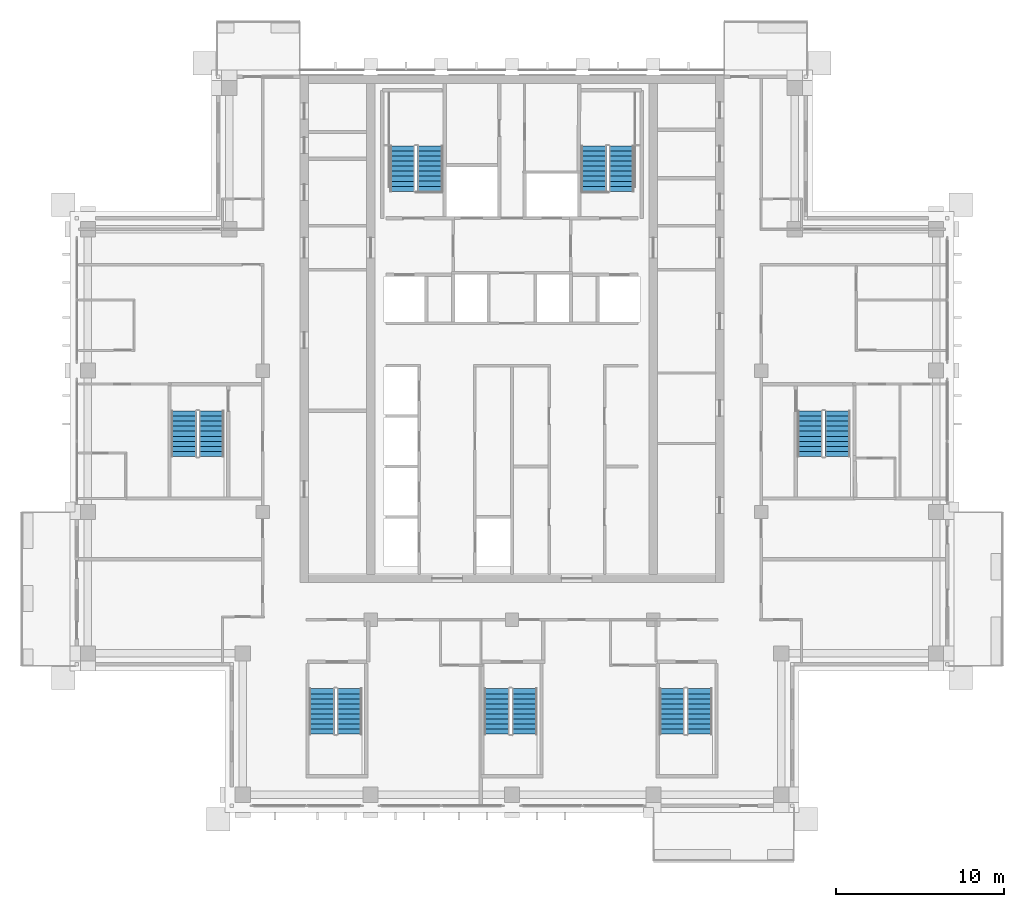
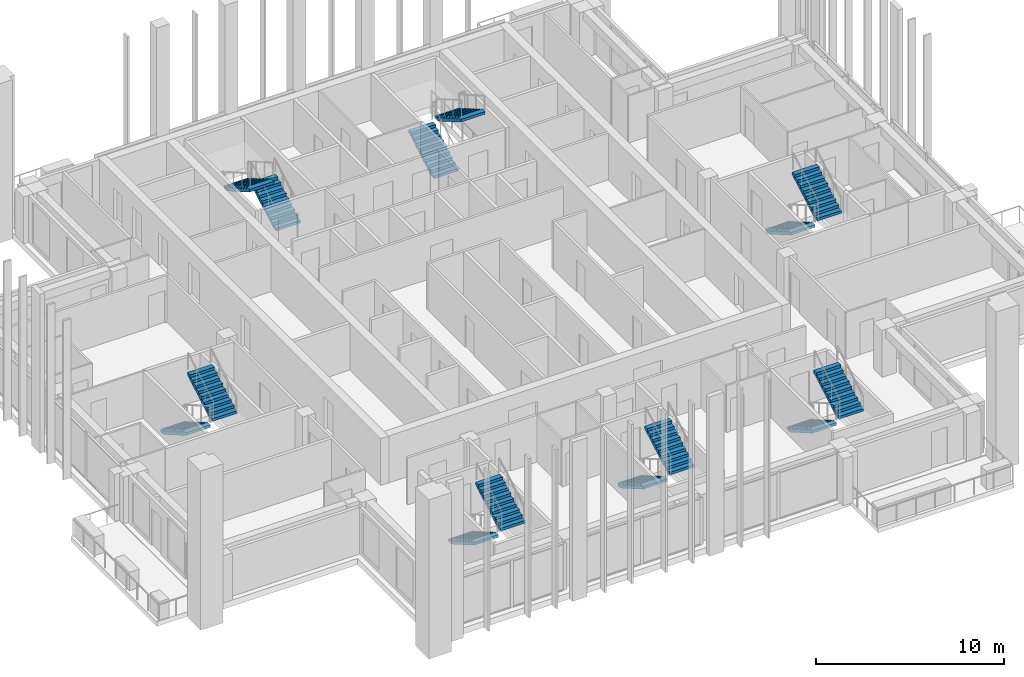
# One storey, part 16 of 20: 14 stair flights, 7 elements without a shape of their own.
"""IFC4 building model written with IfcOpenShell, lengths in metres."""

from ifc_helpers import new_model, si_unit, direction, frame, origin, place, context, subcontext, project, spatial, polyline, outline, extrude, material, type_object, element, aggregate, save


model = new_model("IFC4")

# Units and contexts
model_context = context("Model", 3, precision=1e-05, world=origin(), true_north=direction((0.0, 1.0)))
body_context = subcontext(model_context, "Body", "Model", "MODEL_VIEW")
ifc_project = project(units=[si_unit("LENGTHUNIT", "METRE"), si_unit("AREAUNIT", "SQUARE_METRE"), si_unit("VOLUMEUNIT", "CUBIC_METRE"), si_unit("PLANEANGLEUNIT", "RADIAN"), si_unit("MASSUNIT", "GRAM", prefix="KILO")], contexts=[model_context])

# Site, building, storey
site_placement = place(None, origin())
site = spatial("IfcSite", under=ifc_project, at=site_placement, CompositionType="ELEMENT")
building_placement = place(site_placement, origin())
building = spatial("IfcBuilding", under=site, at=building_placement, Name="Vermilion Ogive Tower", CompositionType="ELEMENT")
storey_placement = place(building_placement, frame((0.0, 0.0, 223.449951171875)))
storey = spatial("IfcBuildingStorey", under=building, at=storey_placement, Name="L58", CompositionType="ELEMENT", Elevation=223.449951171875)

# Stair, stair flights
ifc_material_1 = material(Name="Concrete B40", Category="concrete")
stair_type = type_object("IfcStairType", Name="Exit stair 1500", PredefinedType="HALF_TURN_STAIR", material=ifc_material_1)
stair_1_placement = place(storey_placement, origin())
stair_1 = element("IfcStair", 1, at=stair_1_placement, inside=storey, type_object=stair_type, Name="L58 Exit Stair ST1", PredefinedType="HALF_TURN_STAIR")
ifc_material_2 = material(Name="Concrete B40", Category="concrete")
stair_flight_type = type_object("IfcStairFlightType", Name="Stair flight 1500", PredefinedType="STRAIGHT", material=ifc_material_2)
stair_flight_1_placement = place(storey_placement, frame((-4.85009765625, 14.85009765625, 0.0), z_axis=(0.0, 0.0, 1.0), x_axis=(0.0, 1.0, 0.0)))
stair_flight_1 = element("IfcStairFlight", 2, at=stair_flight_1_placement, type_object=stair_flight_type, Name="ST1 flight 1", NumberOfRisers=10, NumberOfTreads=9, PredefinedType="STRAIGHT", RiserHeight=0.1725, TreadLength=0.3, context=body_context, shape_type="SweptSolid", body=[
    extrude(outline(polyline([(0.0, 0.0), (0.0, 0.172607421875), (0.300048828125, 0.172607421875), (0.300048828125, 0.344970703125), (0.60009765625, 0.344970703125), (0.60009765625, 0.517578125), (0.89990234375, 0.517578125), (0.89990234375, 0.68994140625), (1.199951171875, 0.68994140625), (1.199951171875, 0.862548828125), (1.5, 0.862548828125), (1.5, 1.034912109375), (1.800048828125, 1.034912109375), (1.800048828125, 1.20751953125), (2.10009765625, 1.20751953125), (2.10009765625, 1.3798828125), (2.39990234375, 1.3798828125), (2.39990234375, 1.552490234375), (2.699951171875, 1.552490234375), (2.699951171875, 1.72509765625), (2.699951171875, 1.379638671875), (0.30078125, 0.0), (0.0, 0.0)])), frame((0.0, 0.75, 0.0), z_axis=(0.0, -1.0, 0.0), x_axis=(1.0, 0.0, 0.0)), (0.0, 0.0, 1.0), 1.5),
])
stair_flight_2_placement = place(storey_placement, frame((-6.5, 17.550048828125, 1.72509765625), z_axis=(0.0, 0.0, 1.0), x_axis=(0.0, -1.0, 0.0)))
stair_flight_2 = element("IfcStairFlight", 3, at=stair_flight_2_placement, type_object=stair_flight_type, Name="ST1 flight 2", NumberOfRisers=10, NumberOfTreads=9, PredefinedType="STRAIGHT", RiserHeight=0.1725, TreadLength=0.3, context=body_context, shape_type="SweptSolid", body=[
    extrude(outline(polyline([(0.0, 0.0), (0.0, 0.172607421875), (0.300048828125, 0.172607421875), (0.300048828125, 0.344970703125), (0.60009765625, 0.344970703125), (0.60009765625, 0.517578125), (0.89990234375, 0.517578125), (0.89990234375, 0.68994140625), (1.199951171875, 0.68994140625), (1.199951171875, 0.862548828125), (1.5, 0.862548828125), (1.5, 1.034912109375), (1.800048828125, 1.034912109375), (1.800048828125, 1.20751953125), (2.10009765625, 1.20751953125), (2.10009765625, 1.3798828125), (2.39990234375, 1.3798828125), (2.39990234375, 1.552490234375), (2.699951171875, 1.552490234375), (2.699951171875, 1.72509765625), (2.699951171875, 1.379638671875), (0.30078125, 0.0), (0.0, 0.0)])), frame((0.0, 0.75, 0.0), z_axis=(0.0, -1.0, 0.0), x_axis=(1.0, 0.0, 0.0)), (0.0, 0.0, 1.0), 1.5),
])
aggregate(stair_1, [stair_flight_1, stair_flight_2])

stair_2_placement = place(storey_placement, origin())
stair_2 = element("IfcStair", 4, at=stair_2_placement, inside=storey, type_object=stair_type, Name="L58 Exit Stair ST2", PredefinedType="HALF_TURN_STAIR")
stair_flight_3_placement = place(storey_placement, frame((4.85009765625, 14.85009765625, 0.0), z_axis=(0.0, 0.0, 1.0), x_axis=(0.0, 1.0, 0.0)))
stair_flight_3 = element("IfcStairFlight", 5, at=stair_flight_3_placement, type_object=stair_flight_type, Name="ST2 flight 1", NumberOfRisers=10, NumberOfTreads=9, PredefinedType="STRAIGHT", RiserHeight=0.1725, TreadLength=0.3, context=body_context, shape_type="SweptSolid", body=[
    extrude(outline(polyline([(0.0, 0.0), (0.0, 0.172607421875), (0.300048828125, 0.172607421875), (0.300048828125, 0.344970703125), (0.60009765625, 0.344970703125), (0.60009765625, 0.517578125), (0.89990234375, 0.517578125), (0.89990234375, 0.68994140625), (1.199951171875, 0.68994140625), (1.199951171875, 0.862548828125), (1.5, 0.862548828125), (1.5, 1.034912109375), (1.800048828125, 1.034912109375), (1.800048828125, 1.20751953125), (2.10009765625, 1.20751953125), (2.10009765625, 1.3798828125), (2.39990234375, 1.3798828125), (2.39990234375, 1.552490234375), (2.699951171875, 1.552490234375), (2.699951171875, 1.72509765625), (2.699951171875, 1.379638671875), (0.30078125, 0.0), (0.0, 0.0)])), frame((0.0, 0.75, 0.0), z_axis=(0.0, -1.0, 0.0), x_axis=(1.0, 0.0, 0.0)), (0.0, 0.0, 1.0), 1.5),
])
stair_flight_4_placement = place(storey_placement, frame((6.5, 17.550048828125, 1.72509765625), z_axis=(0.0, 0.0, 1.0), x_axis=(0.0, -1.0, 0.0)))
stair_flight_4 = element("IfcStairFlight", 6, at=stair_flight_4_placement, type_object=stair_flight_type, Name="ST2 flight 2", NumberOfRisers=10, NumberOfTreads=9, PredefinedType="STRAIGHT", RiserHeight=0.1725, TreadLength=0.3, context=body_context, shape_type="SweptSolid", body=[
    extrude(outline(polyline([(0.0, 0.0), (0.0, 0.172607421875), (0.300048828125, 0.172607421875), (0.300048828125, 0.344970703125), (0.60009765625, 0.344970703125), (0.60009765625, 0.517578125), (0.89990234375, 0.517578125), (0.89990234375, 0.68994140625), (1.199951171875, 0.68994140625), (1.199951171875, 0.862548828125), (1.5, 0.862548828125), (1.5, 1.034912109375), (1.800048828125, 1.034912109375), (1.800048828125, 1.20751953125), (2.10009765625, 1.20751953125), (2.10009765625, 1.3798828125), (2.39990234375, 1.3798828125), (2.39990234375, 1.552490234375), (2.699951171875, 1.552490234375), (2.699951171875, 1.72509765625), (2.699951171875, 1.379638671875), (0.30078125, 0.0), (0.0, 0.0)])), frame((0.0, 0.75, 0.0), z_axis=(0.0, -1.0, 0.0), x_axis=(1.0, 0.0, 0.0)), (0.0, 0.0, 1.0), 1.5),
])
aggregate(stair_2, [stair_flight_3, stair_flight_4])

stair_3_placement = place(storey_placement, origin())
stair_3 = element("IfcStair", 7, at=stair_3_placement, inside=storey, type_object=stair_type, Name="L58 Exit Stair ST3", PredefinedType="HALF_TURN_STAIR")
stair_flight_5_placement = place(storey_placement, frame((-11.300048828125, -14.699951171875, 0.0), z_axis=(0.0, 0.0, 1.0), x_axis=(0.0, -1.0, 0.0)))
stair_flight_5 = element("IfcStairFlight", 8, at=stair_flight_5_placement, type_object=stair_flight_type, Name="ST3 flight 1", NumberOfRisers=10, NumberOfTreads=9, PredefinedType="STRAIGHT", RiserHeight=0.1725, TreadLength=0.3, context=body_context, shape_type="SweptSolid", body=[
    extrude(outline(polyline([(0.0, 0.0), (0.0, 0.172607421875), (0.300048828125, 0.172607421875), (0.300048828125, 0.344970703125), (0.60009765625, 0.344970703125), (0.60009765625, 0.517578125), (0.89990234375, 0.517578125), (0.89990234375, 0.68994140625), (1.199951171875, 0.68994140625), (1.199951171875, 0.862548828125), (1.5, 0.862548828125), (1.5, 1.034912109375), (1.800048828125, 1.034912109375), (1.800048828125, 1.20751953125), (2.10009765625, 1.20751953125), (2.10009765625, 1.3798828125), (2.39990234375, 1.3798828125), (2.39990234375, 1.552490234375), (2.699951171875, 1.552490234375), (2.699951171875, 1.72509765625), (2.699951171875, 1.379638671875), (0.30078125, 0.0), (0.0, 0.0)])), frame((0.0, 0.75, 0.0), z_axis=(0.0, -1.0, 0.0), x_axis=(1.0, 0.0, 0.0)), (0.0, 0.0, 1.0), 1.5),
])
stair_flight_6_placement = place(storey_placement, frame((-9.64990234375, -17.39990234375, 1.72509765625), z_axis=(0.0, 0.0, 1.0), x_axis=(0.0, 1.0, 0.0)))
stair_flight_6 = element("IfcStairFlight", 9, at=stair_flight_6_placement, type_object=stair_flight_type, Name="ST3 flight 2", NumberOfRisers=10, NumberOfTreads=9, PredefinedType="STRAIGHT", RiserHeight=0.1725, TreadLength=0.3, context=body_context, shape_type="SweptSolid", body=[
    extrude(outline(polyline([(0.0, 0.0), (0.0, 0.172607421875), (0.300048828125, 0.172607421875), (0.300048828125, 0.344970703125), (0.60009765625, 0.344970703125), (0.60009765625, 0.517578125), (0.89990234375, 0.517578125), (0.89990234375, 0.68994140625), (1.199951171875, 0.68994140625), (1.199951171875, 0.862548828125), (1.5, 0.862548828125), (1.5, 1.034912109375), (1.800048828125, 1.034912109375), (1.800048828125, 1.20751953125), (2.10009765625, 1.20751953125), (2.10009765625, 1.3798828125), (2.39990234375, 1.3798828125), (2.39990234375, 1.552490234375), (2.699951171875, 1.552490234375), (2.699951171875, 1.72509765625), (2.699951171875, 1.379638671875), (0.30078125, 0.0), (0.0, 0.0)])), frame((0.0, 0.75, 0.0), z_axis=(0.0, -1.0, 0.0), x_axis=(1.0, 0.0, 0.0)), (0.0, 0.0, 1.0), 1.5),
])
aggregate(stair_3, [stair_flight_5, stair_flight_6])

stair_4_placement = place(storey_placement, origin())
stair_4 = element("IfcStair", 10, at=stair_4_placement, inside=storey, type_object=stair_type, Name="L58 Exit Stair ST4", PredefinedType="HALF_TURN_STAIR")
stair_flight_7_placement = place(storey_placement, frame((-0.89990234375, -14.699951171875, 0.0), z_axis=(0.0, 0.0, 1.0), x_axis=(0.0, -1.0, 0.0)))
stair_flight_7 = element("IfcStairFlight", 11, at=stair_flight_7_placement, type_object=stair_flight_type, Name="ST4 flight 1", NumberOfRisers=10, NumberOfTreads=9, PredefinedType="STRAIGHT", RiserHeight=0.1725, TreadLength=0.3, context=body_context, shape_type="SweptSolid", body=[
    extrude(outline(polyline([(0.0, 0.0), (0.0, 0.172607421875), (0.300048828125, 0.172607421875), (0.300048828125, 0.344970703125), (0.60009765625, 0.344970703125), (0.60009765625, 0.517578125), (0.89990234375, 0.517578125), (0.89990234375, 0.68994140625), (1.199951171875, 0.68994140625), (1.199951171875, 0.862548828125), (1.5, 0.862548828125), (1.5, 1.034912109375), (1.800048828125, 1.034912109375), (1.800048828125, 1.20751953125), (2.10009765625, 1.20751953125), (2.10009765625, 1.3798828125), (2.39990234375, 1.3798828125), (2.39990234375, 1.552490234375), (2.699951171875, 1.552490234375), (2.699951171875, 1.72509765625), (2.699951171875, 1.379638671875), (0.30078125, 0.0), (0.0, 0.0)])), frame((0.0, 0.75, 0.0), z_axis=(0.0, -1.0, 0.0), x_axis=(1.0, 0.0, 0.0)), (0.0, 0.0, 1.0), 1.5),
])
stair_flight_8_placement = place(storey_placement, frame((0.75, -17.39990234375, 1.72509765625), z_axis=(0.0, 0.0, 1.0), x_axis=(0.0, 1.0, 0.0)))
stair_flight_8 = element("IfcStairFlight", 12, at=stair_flight_8_placement, type_object=stair_flight_type, Name="ST4 flight 2", NumberOfRisers=10, NumberOfTreads=9, PredefinedType="STRAIGHT", RiserHeight=0.1725, TreadLength=0.3, context=body_context, shape_type="SweptSolid", body=[
    extrude(outline(polyline([(0.0, 0.0), (0.0, 0.172607421875), (0.300048828125, 0.172607421875), (0.300048828125, 0.344970703125), (0.60009765625, 0.344970703125), (0.60009765625, 0.517578125), (0.89990234375, 0.517578125), (0.89990234375, 0.68994140625), (1.199951171875, 0.68994140625), (1.199951171875, 0.862548828125), (1.5, 0.862548828125), (1.5, 1.034912109375), (1.800048828125, 1.034912109375), (1.800048828125, 1.20751953125), (2.10009765625, 1.20751953125), (2.10009765625, 1.3798828125), (2.39990234375, 1.3798828125), (2.39990234375, 1.552490234375), (2.699951171875, 1.552490234375), (2.699951171875, 1.72509765625), (2.699951171875, 1.379638671875), (0.30078125, 0.0), (0.0, 0.0)])), frame((0.0, 0.75, 0.0), z_axis=(0.0, -1.0, 0.0), x_axis=(1.0, 0.0, 0.0)), (0.0, 0.0, 1.0), 1.5),
])
aggregate(stair_4, [stair_flight_7, stair_flight_8])

stair_5_placement = place(storey_placement, origin())
stair_5 = element("IfcStair", 13, at=stair_5_placement, inside=storey, type_object=stair_type, Name="L58 Exit Stair ST5", PredefinedType="HALF_TURN_STAIR")
stair_flight_9_placement = place(storey_placement, frame((9.5, -14.699951171875, 0.0), z_axis=(0.0, 0.0, 1.0), x_axis=(0.0, -1.0, 0.0)))
stair_flight_9 = element("IfcStairFlight", 14, at=stair_flight_9_placement, type_object=stair_flight_type, Name="ST5 flight 1", NumberOfRisers=10, NumberOfTreads=9, PredefinedType="STRAIGHT", RiserHeight=0.1725, TreadLength=0.3, context=body_context, shape_type="SweptSolid", body=[
    extrude(outline(polyline([(0.0, 0.0), (0.0, 0.172607421875), (0.300048828125, 0.172607421875), (0.300048828125, 0.344970703125), (0.60009765625, 0.344970703125), (0.60009765625, 0.517578125), (0.89990234375, 0.517578125), (0.89990234375, 0.68994140625), (1.199951171875, 0.68994140625), (1.199951171875, 0.862548828125), (1.5, 0.862548828125), (1.5, 1.034912109375), (1.800048828125, 1.034912109375), (1.800048828125, 1.20751953125), (2.10009765625, 1.20751953125), (2.10009765625, 1.3798828125), (2.39990234375, 1.3798828125), (2.39990234375, 1.552490234375), (2.699951171875, 1.552490234375), (2.699951171875, 1.72509765625), (2.699951171875, 1.379638671875), (0.30078125, 0.0), (0.0, 0.0)])), frame((0.0, 0.75, 0.0), z_axis=(0.0, -1.0, 0.0), x_axis=(1.0, 0.0, 0.0)), (0.0, 0.0, 1.0), 1.5),
])
stair_flight_10_placement = place(storey_placement, frame((11.14990234375, -17.39990234375, 1.72509765625), z_axis=(0.0, 0.0, 1.0), x_axis=(0.0, 1.0, 0.0)))
stair_flight_10 = element("IfcStairFlight", 15, at=stair_flight_10_placement, type_object=stair_flight_type, Name="ST5 flight 2", NumberOfRisers=10, NumberOfTreads=9, PredefinedType="STRAIGHT", RiserHeight=0.1725, TreadLength=0.3, context=body_context, shape_type="SweptSolid", body=[
    extrude(outline(polyline([(0.0, 0.0), (0.0, 0.172607421875), (0.300048828125, 0.172607421875), (0.300048828125, 0.344970703125), (0.60009765625, 0.344970703125), (0.60009765625, 0.517578125), (0.89990234375, 0.517578125), (0.89990234375, 0.68994140625), (1.199951171875, 0.68994140625), (1.199951171875, 0.862548828125), (1.5, 0.862548828125), (1.5, 1.034912109375), (1.800048828125, 1.034912109375), (1.800048828125, 1.20751953125), (2.10009765625, 1.20751953125), (2.10009765625, 1.3798828125), (2.39990234375, 1.3798828125), (2.39990234375, 1.552490234375), (2.699951171875, 1.552490234375), (2.699951171875, 1.72509765625), (2.699951171875, 1.379638671875), (0.30078125, 0.0), (0.0, 0.0)])), frame((0.0, 0.75, 0.0), z_axis=(0.0, -1.0, 0.0), x_axis=(1.0, 0.0, 0.0)), (0.0, 0.0, 1.0), 1.5),
])
aggregate(stair_5, [stair_flight_9, stair_flight_10])

stair_6_placement = place(storey_placement, origin())
stair_6 = element("IfcStair", 16, at=stair_6_placement, inside=storey, type_object=stair_type, Name="L58 Exit Stair ST8", PredefinedType="HALF_TURN_STAIR")
stair_flight_11_placement = place(storey_placement, frame((17.699951171875, 1.800048828125, 0.0), z_axis=(0.0, 0.0, 1.0), x_axis=(0.0, -1.0, 0.0)))
stair_flight_11 = element("IfcStairFlight", 17, at=stair_flight_11_placement, type_object=stair_flight_type, Name="ST8 flight 1", NumberOfRisers=10, NumberOfTreads=9, PredefinedType="STRAIGHT", RiserHeight=0.1725, TreadLength=0.3, context=body_context, shape_type="SweptSolid", body=[
    extrude(outline(polyline([(0.0, 0.0), (0.0, 0.172607421875), (0.300048828125, 0.172607421875), (0.300048828125, 0.344970703125), (0.60009765625, 0.344970703125), (0.60009765625, 0.517578125), (0.89990234375, 0.517578125), (0.89990234375, 0.68994140625), (1.199951171875, 0.68994140625), (1.199951171875, 0.862548828125), (1.5, 0.862548828125), (1.5, 1.034912109375), (1.800048828125, 1.034912109375), (1.800048828125, 1.20751953125), (2.10009765625, 1.20751953125), (2.10009765625, 1.3798828125), (2.39990234375, 1.3798828125), (2.39990234375, 1.552490234375), (2.699951171875, 1.552490234375), (2.699951171875, 1.72509765625), (2.699951171875, 1.379638671875), (0.30078125, 0.0), (0.0, 0.0)])), frame((0.0, 0.75, 0.0), z_axis=(0.0, -1.0, 0.0), x_axis=(1.0, 0.0, 0.0)), (0.0, 0.0, 1.0), 1.5),
])
stair_flight_12_placement = place(storey_placement, frame((19.35009765625, -0.89990234375, 1.72509765625), z_axis=(0.0, 0.0, 1.0), x_axis=(0.0, 1.0, 0.0)))
stair_flight_12 = element("IfcStairFlight", 18, at=stair_flight_12_placement, type_object=stair_flight_type, Name="ST8 flight 2", NumberOfRisers=10, NumberOfTreads=9, PredefinedType="STRAIGHT", RiserHeight=0.1725, TreadLength=0.3, context=body_context, shape_type="SweptSolid", body=[
    extrude(outline(polyline([(0.0, 0.0), (0.0, 0.172607421875), (0.300048828125, 0.172607421875), (0.300048828125, 0.344970703125), (0.60009765625, 0.344970703125), (0.60009765625, 0.517578125), (0.89990234375, 0.517578125), (0.89990234375, 0.68994140625), (1.199951171875, 0.68994140625), (1.199951171875, 0.862548828125), (1.5, 0.862548828125), (1.5, 1.034912109375), (1.800048828125, 1.034912109375), (1.800048828125, 1.20751953125), (2.10009765625, 1.20751953125), (2.10009765625, 1.3798828125), (2.39990234375, 1.3798828125), (2.39990234375, 1.552490234375), (2.699951171875, 1.552490234375), (2.699951171875, 1.72509765625), (2.699951171875, 1.379638671875), (0.30078125, 0.0), (0.0, 0.0)])), frame((0.0, 0.75, 0.0), z_axis=(0.0, -1.0, 0.0), x_axis=(1.0, 0.0, 0.0)), (0.0, 0.0, 1.0), 1.5),
])
aggregate(stair_6, [stair_flight_11, stair_flight_12])

stair_7_placement = place(storey_placement, origin())
stair_7 = element("IfcStair", 19, at=stair_7_placement, inside=storey, type_object=stair_type, Name="L58 Exit Stair ST9", PredefinedType="HALF_TURN_STAIR")
stair_flight_13_placement = place(storey_placement, frame((-19.5, 1.800048828125, 0.0), z_axis=(0.0, 0.0, 1.0), x_axis=(0.0, -1.0, 0.0)))
stair_flight_13 = element("IfcStairFlight", 20, at=stair_flight_13_placement, type_object=stair_flight_type, Name="ST9 flight 1", NumberOfRisers=10, NumberOfTreads=9, PredefinedType="STRAIGHT", RiserHeight=0.1725, TreadLength=0.3, context=body_context, shape_type="SweptSolid", body=[
    extrude(outline(polyline([(0.0, 0.0), (0.0, 0.172607421875), (0.300048828125, 0.172607421875), (0.300048828125, 0.344970703125), (0.60009765625, 0.344970703125), (0.60009765625, 0.517578125), (0.89990234375, 0.517578125), (0.89990234375, 0.68994140625), (1.199951171875, 0.68994140625), (1.199951171875, 0.862548828125), (1.5, 0.862548828125), (1.5, 1.034912109375), (1.800048828125, 1.034912109375), (1.800048828125, 1.20751953125), (2.10009765625, 1.20751953125), (2.10009765625, 1.3798828125), (2.39990234375, 1.3798828125), (2.39990234375, 1.552490234375), (2.699951171875, 1.552490234375), (2.699951171875, 1.72509765625), (2.699951171875, 1.379638671875), (0.30078125, 0.0), (0.0, 0.0)])), frame((0.0, 0.75, 0.0), z_axis=(0.0, -1.0, 0.0), x_axis=(1.0, 0.0, 0.0)), (0.0, 0.0, 1.0), 1.5),
])
stair_flight_14_placement = place(storey_placement, frame((-17.85009765625, -0.89990234375, 1.72509765625), z_axis=(0.0, 0.0, 1.0), x_axis=(0.0, 1.0, 0.0)))
stair_flight_14 = element("IfcStairFlight", 21, at=stair_flight_14_placement, type_object=stair_flight_type, Name="ST9 flight 2", NumberOfRisers=10, NumberOfTreads=9, PredefinedType="STRAIGHT", RiserHeight=0.1725, TreadLength=0.3, context=body_context, shape_type="SweptSolid", body=[
    extrude(outline(polyline([(0.0, 0.0), (0.0, 0.172607421875), (0.300048828125, 0.172607421875), (0.300048828125, 0.344970703125), (0.60009765625, 0.344970703125), (0.60009765625, 0.517578125), (0.89990234375, 0.517578125), (0.89990234375, 0.68994140625), (1.199951171875, 0.68994140625), (1.199951171875, 0.862548828125), (1.5, 0.862548828125), (1.5, 1.034912109375), (1.800048828125, 1.034912109375), (1.800048828125, 1.20751953125), (2.10009765625, 1.20751953125), (2.10009765625, 1.3798828125), (2.39990234375, 1.3798828125), (2.39990234375, 1.552490234375), (2.699951171875, 1.552490234375), (2.699951171875, 1.72509765625), (2.699951171875, 1.379638671875), (0.30078125, 0.0), (0.0, 0.0)])), frame((0.0, 0.75, 0.0), z_axis=(0.0, -1.0, 0.0), x_axis=(1.0, 0.0, 0.0)), (0.0, 0.0, 1.0), 1.5),
])
aggregate(stair_7, [stair_flight_13, stair_flight_14])

save(model, "model.ifc")
